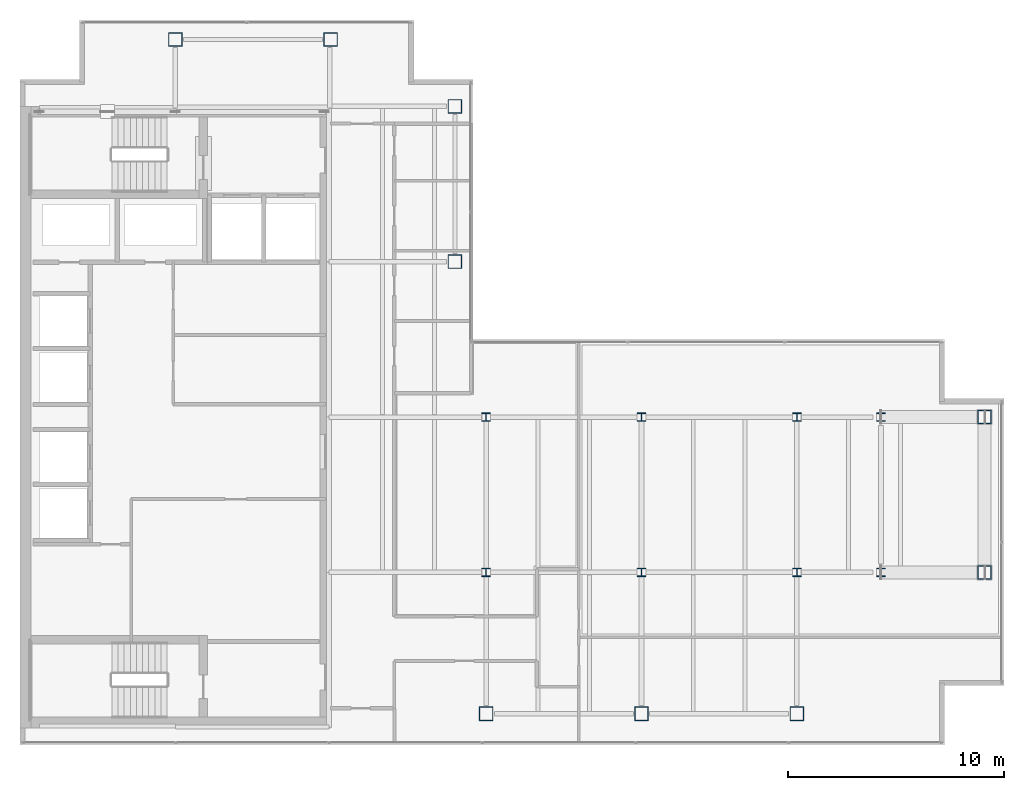
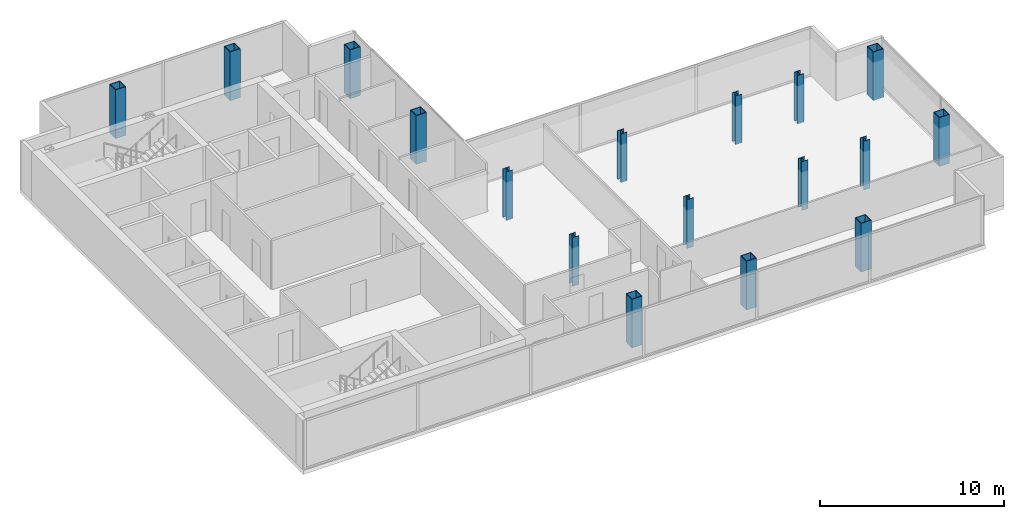
# One storey, part 1 of 24: 17 columns.
"""IFC4 building model written with IfcOpenShell, lengths in metres."""

from ifc_helpers import new_model, si_unit, direction, frame, origin, origin_2d, place, context, subcontext, project, spatial, hollow_rectangle, i_section, extrude, material, material_profile, profile_set, type_object, element, save


model = new_model("IFC4")

# Units and contexts
model_context = context("Model", 3, precision=1e-05, world=origin(), true_north=direction((0.0, 1.0)))
body_context = subcontext(model_context, "Body", "Model", "MODEL_VIEW")
ifc_project = project(units=[si_unit("LENGTHUNIT", "METRE"), si_unit("AREAUNIT", "SQUARE_METRE"), si_unit("VOLUMEUNIT", "CUBIC_METRE"), si_unit("PLANEANGLEUNIT", "RADIAN"), si_unit("MASSUNIT", "GRAM", prefix="KILO")], contexts=[model_context])

# Site, building, storey
site_placement = place(None, origin())
site = spatial("IfcSite", under=ifc_project, at=site_placement, CompositionType="ELEMENT")
building_placement = place(site_placement, origin())
building = spatial("IfcBuilding", under=site, at=building_placement, Name="Cobrela Telecom Tower", CompositionType="ELEMENT")
storey_placement = place(building_placement, frame((0.0, 0.0, 241.14990234375)))
storey = spatial("IfcBuildingStorey", under=building, at=storey_placement, Name="L62", CompositionType="ELEMENT", Elevation=241.14990234375)

# Columns
ifc_material_1 = material(Name="Steel ASTM A992 Grade 50", Category="steel")
ifc_material_profile_1 = material_profile(ifc_material_1, i_section(OverallWidth=0.39892578125, OverallDepth=0.39404296875, WebThickness=0.022705078125, FlangeThickness=0.03662109375, FilletRadius=0.01806640625, at=origin_2d()), Name="W14X193")
ifc_profile_set_1 = profile_set([ifc_material_profile_1], Name="Steel ASTM A992 Grade 50")
column_type_1 = type_object("IfcColumnType", Name="COL-INT-06", PredefinedType="COLUMN", material=ifc_profile_set_1)
for number, where, z_axis, x_axis, name in (
    (1, (21.60009765625, 14.39990234375, 0.0), (0.0, 0.0, 1.0), (1.0, 0.0, 0.0), "L62 Interior Column 06"),
    (2, (21.60009765625, 21.60009765625, 0.0), (0.0, 0.0, 1.0), (1.0, 0.0, 0.0), "L62 Interior Column 07"),
    (3, (28.800048828125, 14.39990234375, 0.0), (0.0, 0.0, 1.0), (1.0, 0.0, 0.0), "L62 Interior Column 09"),
    (4, (28.800048828125, 21.60009765625, 0.0), (0.0, 0.0, 1.0), (1.0, 0.0, 0.0), "L62 Interior Column 10"),
    (5, (36.0, 14.39990234375, 0.0), (0.0, 0.0, 1.0), (1.0, 0.0, 0.0), "L62 Interior Column 12"),
    (6, (36.0, 21.60009765625, 0.0), (0.0, 0.0, 1.0), (1.0, 0.0, 0.0), "L62 Interior Column 13"),
    (7, (39.89990234375, 14.39990234375, 0.0), (0.0, 0.0, 1.0), (1.0, 0.0, 0.0), "L62 Interior Column 14"),
    (8, (39.89990234375, 21.60009765625, 0.0), (0.0, 0.0, 1.0), (1.0, 0.0, 0.0), "L62 Interior Column 15"),
):
    element("IfcColumn", number, at=place(storey_placement, frame(where, z_axis=z_axis, x_axis=x_axis)), inside=storey, type_object=column_type_1, Name=name, PredefinedType="COLUMN", context=body_context, shape_type="SweptSolid", body=[
        extrude(i_section(OverallWidth=0.39892578125, OverallDepth=0.39404296875, WebThickness=0.022705078125, FlangeThickness=0.03662109375, FilletRadius=0.01806640625, at=origin_2d()), origin(), (0.0, 0.0, 1.0), 3.239990234375),
    ])
ifc_material_2 = material(Name="Steel ASTM A572 Grade 50", Category="steel")
ifc_material_profile_2 = material_profile(ifc_material_2, hollow_rectangle(XDim=0.64990234375, YDim=0.64990234375, WallThickness=0.0400390625, at=origin_2d()), Name="BOX 650x650x40")
ifc_profile_set_2 = profile_set([ifc_material_profile_2], Name="Steel ASTM A572 Grade 50")
column_type_2 = type_object("IfcColumnType", Name="COL-MEGA-09", PredefinedType="COLUMN", material=ifc_profile_set_2)
for number, where, z_axis, x_axis, name in (
    (9, (7.199951171875, 39.10009765625, 0.0), (0.0, 0.0, 1.0), (1.0, 0.0, 0.0), "L62 Perimeter Mega-Column 01"),
    (10, (14.39990234375, 39.10009765625, 0.0), (0.0, 0.0, 1.0), (1.0, 0.0, 0.0), "L62 Perimeter Mega-Column 02"),
    (11, (20.14990234375, 28.800048828125, 0.0), (0.0, 0.0, 1.0), (1.0, 0.0, 0.0), "L62 Perimeter Mega-Column 03"),
    (12, (20.14990234375, 36.0, 0.0), (0.0, 0.0, 1.0), (1.0, 0.0, 0.0), "L62 Perimeter Mega-Column 04"),
    (13, (21.60009765625, 7.85009765625, 0.0), (0.0, 0.0, 1.0), (1.0, 0.0, 0.0), "L62 Perimeter Mega-Column 05"),
    (14, (28.800048828125, 7.85009765625, 0.0), (0.0, 0.0, 1.0), (1.0, 0.0, 0.0), "L62 Perimeter Mega-Column 08"),
    (15, (36.0, 7.85009765625, 0.0), (0.0, 0.0, 1.0), (1.0, 0.0, 0.0), "L62 Perimeter Mega-Column 11"),
    (16, (44.699951171875, 14.39990234375, 0.0), (0.0, 0.0, 1.0), (1.0, 0.0, 0.0), "L62 Perimeter Mega-Column 16"),
    (17, (44.699951171875, 21.60009765625, 0.0), (0.0, 0.0, 1.0), (1.0, 0.0, 0.0), "L62 Perimeter Mega-Column 17"),
):
    element("IfcColumn", number, at=place(storey_placement, frame(where, z_axis=z_axis, x_axis=x_axis)), inside=storey, type_object=column_type_2, Name=name, PredefinedType="COLUMN", context=body_context, shape_type="SweptSolid", body=[
        extrude(hollow_rectangle(XDim=0.64990234375, YDim=0.64990234375, WallThickness=0.0400390625, at=origin_2d()), origin(), (0.0, 0.0, 1.0), 3.239990234375),
    ])

save(model, "model.ifc")
